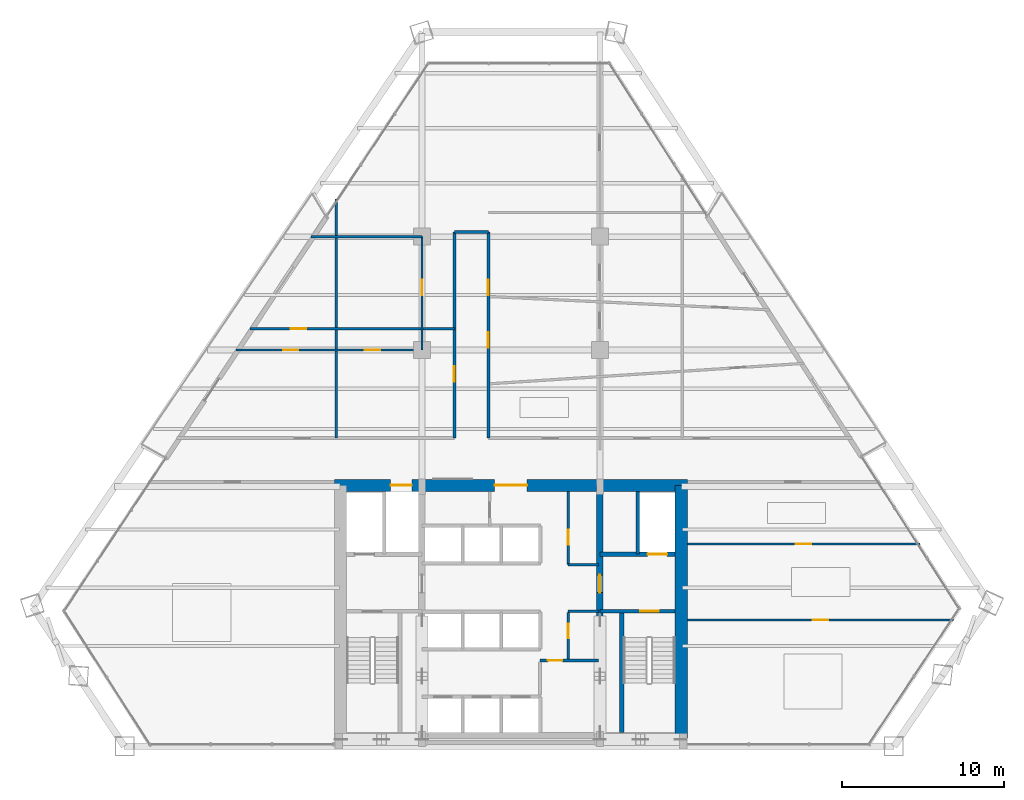
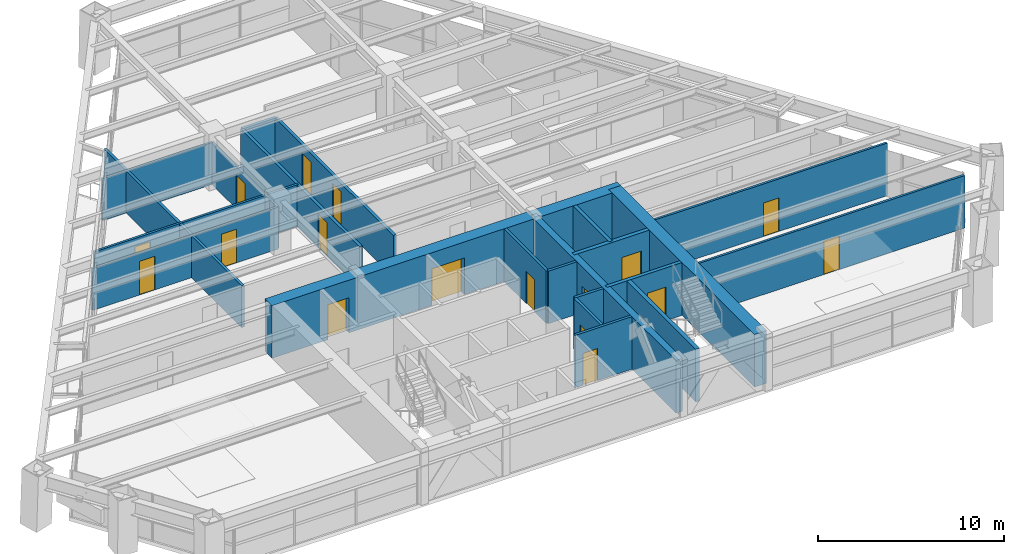
# One storey, part 11 of 14: 22 walls, 17 doors, 17 openings.
"""IFC4 building model written with IfcOpenShell, lengths in metres."""

from ifc_helpers import new_model, si_unit, direction, frame, frame_2d, origin, place, context, subcontext, project, spatial, rectangle, extrude, source, transform, mapped, material, layer, layer_set, type_object, type_shapes, element, fill, save


model = new_model("IFC4")

# Units and contexts
model_context = context("Model", 3, precision=1e-05, world=origin(), true_north=direction((0.0, 1.0)))
body_context = subcontext(model_context, "Body", "Model", "MODEL_VIEW")
ifc_project = project(units=[si_unit("LENGTHUNIT", "METRE"), si_unit("AREAUNIT", "SQUARE_METRE"), si_unit("VOLUMEUNIT", "CUBIC_METRE"), si_unit("PLANEANGLEUNIT", "RADIAN"), si_unit("MASSUNIT", "GRAM", prefix="KILO")], contexts=[model_context])

# Site, building, storey
site_placement = place(None, origin())
site = spatial("IfcSite", under=ifc_project, at=site_placement, CompositionType="ELEMENT")
building_placement = place(site_placement, origin())
building = spatial("IfcBuilding", under=site, at=building_placement, Name="Varnakhor Terracotta Tower", CompositionType="ELEMENT")
storey_placement = place(building_placement, frame((0.0, 0.0, 113.60009765625)))
storey = spatial("IfcBuildingStorey", under=building, at=storey_placement, Name="L28", CompositionType="ELEMENT", Elevation=113.60009765625)

# Wall, openings, doors
ifc_material_1 = material(Name="Concrete C60/75", Category="concrete")
ifc_layer_1 = layer(ifc_material_1, 0.75, Name="Concrete C60/75")
ifc_layer_set_1 = layer_set([ifc_layer_1], Name="Concrete C60/75")
wall_type_1 = type_object("IfcWallType", Name="WAL-CORE-750", PredefinedType="SHEAR", material=ifc_layer_set_1)
wall_1_placement = place(storey_placement, frame((-10.89990234375, 16.125, 0.0), z_axis=(0.0, 0.0, 1.0), x_axis=(1.0, 0.0, 0.0)))
wall_1 = element("IfcWall", 1, at=wall_1_placement, inside=storey, type_object=wall_type_1, Name="L28 North Core Shear Wall", PredefinedType="SHEAR", context=body_context, shape_type="SweptSolid", body=[
    extrude(rectangle(XDim=21.7998046875, YDim=0.75, at=frame_2d((10.89990234375, 0.0))), origin(), (0.0, 0.0, 1.0), 3.449951171875),
])
opening_1_placement = place(wall_1_placement, frame((3.469970703125, 0.0, 0.0)))
opening_1 = element("IfcOpeningElement", 2, at=opening_1_placement, cuts=wall_1, Name="Opening LD-03", PredefinedType="OPENING", context=body_context, shape_type="SweptSolid", body=[
    extrude(rectangle(XDim=1.300048828125, YDim=2.300048828125, at=frame_2d((0.64990234375, 1.14990234375))), frame((0.0, 0.385009765625, 0.0), z_axis=(0.0, -1.0, 0.0), x_axis=(1.0, 0.0, 0.0)), (0.0, 0.0, 1.0), 0.77001953125),
])
opening_2_placement = place(wall_1_placement, frame((9.89990234375, 0.0, 0.0)))
opening_2 = element("IfcOpeningElement", 3, at=opening_2_placement, cuts=wall_1, Name="Opening DR-32", PredefinedType="OPENING", context=body_context, shape_type="SweptSolid", body=[
    extrude(rectangle(XDim=2.0, YDim=2.39990234375, at=frame_2d((1.0, 1.199951171875))), frame((0.0, 0.385009765625, 0.0), z_axis=(0.0, -1.0, 0.0), x_axis=(1.0, 0.0, 0.0)), (0.0, 0.0, 1.0), 0.77001953125),
])
ifc_material_2 = material(Name="Heavy-Duty Goods Sliding Lift Landing Door", Category="steel")
door_type_1 = type_object("IfcDoorType", Name="LD-SRV-1300X2300", OperationType="NOTDEFINED", PredefinedType="DOOR", material=ifc_material_2)
shared_shape_1 = source(origin(), body_context, "Body", "SweptSolid", [
    extrude(rectangle(XDim=1.300048828125, YDim=2.300048828125, at=frame_2d((0.64990234375, 1.14990234375))), frame((0.0, 0.02490234375, 0.0), z_axis=(0.0, -1.0, 0.0), x_axis=(1.0, 0.0, 0.0)), (0.0, 0.0, 1.0), 0.050048828125),
])
type_shapes(door_type_1, [shared_shape_1])
door_1_placement = place(opening_1_placement, origin())
door_1 = element("IfcDoor", 4, at=door_1_placement, inside=storey, type_object=door_type_1, Name="L28 Service Lift SVL-1 Landing Door", OperationType="SLIDING_TO_RIGHT", OverallHeight=2.300048828125, OverallWidth=1.300048828125, PredefinedType="DOOR", context=body_context, shape_type="MappedRepresentation", body=[
    mapped(shared_shape_1, transform((0.0, 0.0, 0.0), scale=1.0)),
])
fill(opening_1, door_1)
ifc_material_3 = material(Name="Acoustic Double Assembly Fire Door", Category="wood")
door_type_2 = type_object("IfcDoorType", Name="DR-HALL-2000X2400", OperationType="NOTDEFINED", PredefinedType="DOOR", material=ifc_material_3)
shared_shape_2 = source(origin(), body_context, "Body", "SweptSolid", [
    extrude(rectangle(XDim=2.0, YDim=2.39990234375, at=frame_2d((1.0, 1.199951171875))), frame((0.0, 0.02490234375, 0.0), z_axis=(0.0, -1.0, 0.0), x_axis=(1.0, 0.0, 0.0)), (0.0, 0.0, 1.0), 0.050048828125),
])
type_shapes(door_type_2, [shared_shape_2])
door_2_placement = place(opening_2_placement, origin())
door_2 = element("IfcDoor", 5, at=door_2_placement, inside=storey, type_object=door_type_2, Name="L28 Core Main Lobby Double Door", OperationType="DOUBLE_DOOR_SINGLE_SWING", OverallHeight=2.39990234375, OverallWidth=2.0, PredefinedType="DOOR", context=body_context, shape_type="MappedRepresentation", body=[
    mapped(shared_shape_2, transform((0.0, 0.0, 0.0), scale=1.0)),
])
fill(opening_2, door_2)

# Wall
wall_2_placement = place(storey_placement, frame((10.52490234375, 0.47509765625, 0.0), z_axis=(0.0, 0.0, 1.0), x_axis=(0.0, 1.0, 0.0)))
element("IfcWall", 6, at=wall_2_placement, inside=storey, type_object=wall_type_1, Name="L28 East Core Shear Wall", PredefinedType="SHEAR", context=body_context, shape_type="SweptSolid", body=[
    extrude(rectangle(XDim=15.64990234375, YDim=0.75, at=frame_2d((7.824951171875, 0.0))), origin(), (0.0, 0.0, 1.0), 3.449951171875),
])

# Wall, opening, door
ifc_material_4 = material(Name="Concrete C50/60", Category="concrete")
ifc_layer_2 = layer(ifc_material_4, 0.39990234375, Name="Concrete C50/60")
ifc_layer_set_2 = layer_set([ifc_layer_2], Name="Concrete C50/60")
wall_type_2 = type_object("IfcWallType", Name="WAL-CORE-WEB-400", PredefinedType="SHEAR", material=ifc_layer_set_2)
wall_3_placement = place(storey_placement, frame((5.5, 0.47509765625, 0.0), z_axis=(0.0, 0.0, 1.0), x_axis=(0.0, 1.0, 0.0)))
wall_3 = element("IfcWall", 7, at=wall_3_placement, inside=storey, type_object=wall_type_2, Name="L28 East Core Web Shear Wall", PredefinedType="SHEAR", context=body_context, shape_type="SweptSolid", body=[
    extrude(rectangle(XDim=15.64990234375, YDim=0.39990234375, at=frame_2d((7.824951171875, 0.0))), origin(), (0.0, 0.0, 1.0), 3.449951171875),
])
opening_3_placement = place(wall_3_placement, frame((9.02490234375, 0.0, 0.0)))
opening_3 = element("IfcOpeningElement", 8, at=opening_3_placement, cuts=wall_3, Name="Opening DR-25", PredefinedType="OPENING", context=body_context, shape_type="SweptSolid", body=[
    extrude(rectangle(XDim=1.10009765625, YDim=2.199951171875, at=frame_2d((0.550048828125, 1.10009765625))), frame((0.0, 0.2099609375, 0.0), z_axis=(0.0, -1.0, 0.0), x_axis=(1.0, 0.0, 0.0)), (0.0, 0.0, 1.0), 0.419921875),
])
ifc_material_5 = material(Name="Firefighting Lobby Self-Closing Fire Door", Category="steel")
door_type_3 = type_object("IfcDoorType", Name="DR-FFL-1100X2200", OperationType="NOTDEFINED", PredefinedType="DOOR", material=ifc_material_5)
shared_shape_3 = source(origin(), body_context, "Body", "SweptSolid", [
    extrude(rectangle(XDim=1.10009765625, YDim=2.199951171875, at=frame_2d((0.550048828125, 1.10009765625))), frame((0.0, 0.02490234375, 0.0), z_axis=(0.0, -1.0, 0.0), x_axis=(1.0, 0.0, 0.0)), (0.0, 0.0, 1.0), 0.050048828125),
])
type_shapes(door_type_3, [shared_shape_3])
door_3_placement = place(opening_3_placement, origin())
door_3 = element("IfcDoor", 9, at=door_3_placement, inside=storey, type_object=door_type_3, Name="L28 East Firefighting Lobby Door", OperationType="SINGLE_SWING_RIGHT", OverallHeight=2.199951171875, OverallWidth=1.10009765625, PredefinedType="DOOR", context=body_context, shape_type="MappedRepresentation", body=[
    mapped(shared_shape_3, transform((0.0, 0.0, 0.0), scale=1.0)),
])
fill(opening_3, door_3)

ifc_material_6 = material(Name="Fire-Rated Gypsum Stud Partition", Category="gypsum")
ifc_layer_3 = layer(ifc_material_6, 0.18505859375, Name="Fire-Rated Gypsum Stud Partition")
ifc_layer_set_3 = layer_set([ifc_layer_3], Name="Fire-Rated Gypsum Stud Partition")
wall_type_3 = type_object("IfcWallType", Name="WAL-CORR-185", PredefinedType="PARTITIONING", material=ifc_layer_set_3)
wall_4_placement = place(storey_placement, frame((-3.5, 19.050048828125, 0.0), z_axis=(0.0, 0.0, 1.0), x_axis=(0.0, 1.0, 0.0)))
wall_4 = element("IfcWall", 10, at=wall_4_placement, inside=storey, type_object=wall_type_3, Name="L28 Spine West Wall", PredefinedType="PARTITIONING", context=body_context, shape_type="SweptSolid", body=[
    extrude(rectangle(XDim=12.75, YDim=0.18505859375, at=frame_2d((6.375, 0.0))), origin(), (0.0, 0.0, 1.0), 2.746826171875),
])
opening_4_placement = place(wall_4_placement, frame((3.486083984375, 0.0, 0.0)))
opening_4 = element("IfcOpeningElement", 11, at=opening_4_placement, cuts=wall_4, Name="Opening DR-94", PredefinedType="OPENING", context=body_context, shape_type="SweptSolid", body=[
    extrude(rectangle(XDim=0.949951171875, YDim=2.199951171875, at=frame_2d((0.47509765625, 1.10009765625))), frame((0.0, 0.1025390625, 0.0), z_axis=(0.0, -1.0, 0.0), x_axis=(1.0, 0.0, 0.0)), (0.0, 0.0, 1.0), 0.205078125),
])
ifc_material_7 = material(Name="Acoustic Glazed-Vision Timber Office Door", Category="wood")
door_type_4 = type_object("IfcDoorType", Name="DR-OFF-950X2200", OperationType="NOTDEFINED", PredefinedType="DOOR", material=ifc_material_7)
shared_shape_4 = source(origin(), body_context, "Body", "SweptSolid", [
    extrude(rectangle(XDim=0.949951171875, YDim=2.199951171875, at=frame_2d((0.47509765625, 1.10009765625))), frame((0.0, 0.02490234375, 0.0), z_axis=(0.0, -1.0, 0.0), x_axis=(1.0, 0.0, 0.0)), (0.0, 0.0, 1.0), 0.050048828125),
])
type_shapes(door_type_4, [shared_shape_4])
door_4_placement = place(opening_4_placement, origin())
door_4 = element("IfcDoor", 12, at=door_4_placement, inside=storey, type_object=door_type_4, Name="L28 Spine West Door", OperationType="SINGLE_SWING_LEFT", OverallHeight=2.199951171875, OverallWidth=0.949951171875, PredefinedType="DOOR", context=body_context, shape_type="MappedRepresentation", body=[
    mapped(shared_shape_4, transform((0.0, 0.0, 0.0), scale=1.0)),
])
fill(opening_4, door_4)

# Wall, openings, doors
wall_5_placement = place(storey_placement, frame((-1.39990234375, 19.050048828125, 0.0), z_axis=(0.0, 0.0, 1.0), x_axis=(0.0, 1.0, 0.0)))
wall_5 = element("IfcWall", 13, at=wall_5_placement, inside=storey, type_object=wall_type_3, Name="L28 Spine East Wall", PredefinedType="PARTITIONING", context=body_context, shape_type="SweptSolid", body=[
    extrude(rectangle(XDim=12.75, YDim=0.18505859375, at=frame_2d((6.375, 0.0))), origin(), (0.0, 0.0, 1.0), 2.746826171875),
])
opening_5_placement = place(wall_5_placement, frame((8.830078125, 0.0, 0.0)))
opening_5 = element("IfcOpeningElement", 14, at=opening_5_placement, cuts=wall_5, Name="Opening DR-94", PredefinedType="OPENING", context=body_context, shape_type="SweptSolid", body=[
    extrude(rectangle(XDim=0.949951171875, YDim=2.199951171875, at=frame_2d((0.47509765625, 1.10009765625))), frame((0.0, 0.1025390625, 0.0), z_axis=(0.0, -1.0, 0.0), x_axis=(1.0, 0.0, 0.0)), (0.0, 0.0, 1.0), 0.205078125),
])
opening_6_placement = place(wall_5_placement, frame((5.59326171875, 0.0, 0.0)))
opening_6 = element("IfcOpeningElement", 15, at=opening_6_placement, cuts=wall_5, Name="Opening DR-94", PredefinedType="OPENING", context=body_context, shape_type="SweptSolid", body=[
    extrude(rectangle(XDim=0.949951171875, YDim=2.199951171875, at=frame_2d((0.47509765625, 1.10009765625))), frame((0.0, 0.1025390625, 0.0), z_axis=(0.0, -1.0, 0.0), x_axis=(1.0, 0.0, 0.0)), (0.0, 0.0, 1.0), 0.205078125),
])
door_5_placement = place(opening_5_placement, origin())
door_5 = element("IfcDoor", 16, at=door_5_placement, inside=storey, type_object=door_type_4, Name="L28 Spine East Door", OperationType="SINGLE_SWING_RIGHT", OverallHeight=2.199951171875, OverallWidth=0.949951171875, PredefinedType="DOOR", context=body_context, shape_type="MappedRepresentation", body=[
    mapped(shared_shape_4, transform((0.0, 0.0, 0.0), scale=1.0)),
])
fill(opening_5, door_5)
door_6_placement = place(opening_6_placement, origin())
door_6 = element("IfcDoor", 17, at=door_6_placement, inside=storey, type_object=door_type_4, Name="L28 Director Office 3 B12 Door", OperationType="SINGLE_SWING_LEFT", OverallHeight=2.199951171875, OverallWidth=0.949951171875, PredefinedType="DOOR", context=body_context, shape_type="MappedRepresentation", body=[
    mapped(shared_shape_4, transform((0.0, 0.0, 0.0), scale=1.0)),
])
fill(opening_6, door_6)

# Wall
wall_6_placement = place(storey_placement, frame((-3.5, 31.800048828125, 0.0), z_axis=(0.0, 0.0, 1.0), x_axis=(1.0, 0.0, 0.0)))
element("IfcWall", 18, at=wall_6_placement, inside=storey, type_object=wall_type_3, Name="L28 Spine North End Wall", PredefinedType="PARTITIONING", context=body_context, shape_type="SweptSolid", body=[
    extrude(rectangle(XDim=2.10009765625, YDim=0.18505859375, at=frame_2d((1.050048828125, 0.0))), origin(), (0.0, 0.0, 1.0), 2.746826171875),
])

# Wall, opening, door
ifc_material_8 = material(Name="Concrete C40/50", Category="concrete")
ifc_layer_4 = layer(ifc_material_8, 0.219970703125, Name="Concrete C40/50")
ifc_layer_set_4 = layer_set([ifc_layer_4], Name="Concrete C40/50")
wall_type_4 = type_object("IfcWallType", Name="WAL-FFLOBBY-220", PredefinedType="SOLIDWALL", material=ifc_layer_set_4)
wall_7_placement = place(storey_placement, frame((10.14990234375, 8.35009765625, 0.0), z_axis=(0.0, 0.0, 1.0), x_axis=(-1.0, 0.0, 0.0)))
wall_7 = element("IfcWall", 19, at=wall_7_placement, inside=storey, type_object=wall_type_4, Name="L28 East Firefighting Lobby Stair Wall", PredefinedType="SOLIDWALL", context=body_context, shape_type="SweptSolid", body=[
    extrude(rectangle(XDim=4.64990234375, YDim=0.219970703125, at=frame_2d((2.324951171875, 0.0))), origin(), (0.0, 0.0, 1.0), 3.449951171875),
])
opening_7_placement = place(wall_7_placement, frame((1.0, 0.0, 0.0)))
opening_7 = element("IfcOpeningElement", 20, at=opening_7_placement, cuts=wall_7, Name="Opening DR-34", PredefinedType="OPENING", context=body_context, shape_type="SweptSolid", body=[
    extrude(rectangle(XDim=1.14990234375, YDim=2.199951171875, at=frame_2d((0.574951171875, 1.10009765625))), frame((0.0, 0.1201171875, 0.0), z_axis=(0.0, -1.0, 0.0), x_axis=(1.0, 0.0, 0.0)), (0.0, 0.0, 1.0), 0.239990234375),
])
ifc_material_9 = material(Name="Self-Closing Smoke-Sealed Steel Fire Door", Category="steel")
door_type_5 = type_object("IfcDoorType", Name="DR-STAIR-1150X2200", OperationType="NOTDEFINED", PredefinedType="DOOR", material=ifc_material_9)
shared_shape_5 = source(origin(), body_context, "Body", "SweptSolid", [
    extrude(rectangle(XDim=1.14990234375, YDim=2.199951171875, at=frame_2d((0.574951171875, 1.10009765625))), frame((0.0, 0.02490234375, 0.0), z_axis=(0.0, -1.0, 0.0), x_axis=(1.0, 0.0, 0.0)), (0.0, 0.0, 1.0), 0.050048828125),
])
type_shapes(door_type_5, [shared_shape_5])
door_7_placement = place(opening_7_placement, origin())
door_7 = element("IfcDoor", 21, at=door_7_placement, inside=storey, type_object=door_type_5, Name="L28 Exit Stair ST-2 Fire Door", OperationType="SINGLE_SWING_LEFT", OverallHeight=2.199951171875, OverallWidth=1.14990234375, PredefinedType="DOOR", context=body_context, shape_type="MappedRepresentation", body=[
    mapped(shared_shape_5, transform((0.0, 0.0, 0.0), scale=1.0)),
])
fill(opening_7, door_7)

# Wall, openings, doors
ifc_material_10 = material(Name="Acoustic Metal-Stud Partition", Category="gypsum")
ifc_layer_5 = layer(ifc_material_10, 0.139892578125, Name="Acoustic Metal-Stud Partition")
ifc_layer_set_5 = layer_set([ifc_layer_5], Name="Acoustic Metal-Stud Partition")
wall_type_5 = type_object("IfcWallType", Name="WAL-PART-140", PredefinedType="PARTITIONING", material=ifc_layer_set_5)
wall_8_placement = place(storey_placement, frame((-17.007568359375, 24.5, 0.0), z_axis=(0.0, 0.0, 1.0), x_axis=(1.0, 0.0, 0.0)))
wall_8 = element("IfcWall", 22, at=wall_8_placement, inside=storey, type_object=wall_type_5, Name="L28 West Y24.5 Column Wall", PredefinedType="PARTITIONING", context=body_context, shape_type="SweptSolid", body=[
    extrude(rectangle(XDim=11.507568359375, YDim=0.139892578125, at=frame_2d((5.75390625, 0.0))), origin(), (0.0, 0.0, 1.0), 2.746826171875),
])
opening_8_placement = place(wall_8_placement, frame((2.920166015625, 0.0, 0.0)))
opening_8 = element("IfcOpeningElement", 23, at=opening_8_placement, cuts=wall_8, Name="Opening DR-94", PredefinedType="OPENING", context=body_context, shape_type="SweptSolid", body=[
    extrude(rectangle(XDim=0.949951171875, YDim=2.199951171875, at=frame_2d((0.47509765625, 1.10009765625))), frame((0.0, 0.080078125, 0.0), z_axis=(0.0, -1.0, 0.0), x_axis=(1.0, 0.0, 0.0)), (0.0, 0.0, 1.0), 0.159912109375),
])
opening_9_placement = place(wall_8_placement, frame((7.977294921875, 0.0, 0.0)))
opening_9 = element("IfcOpeningElement", 24, at=opening_9_placement, cuts=wall_8, Name="Opening DR-94", PredefinedType="OPENING", context=body_context, shape_type="SweptSolid", body=[
    extrude(rectangle(XDim=0.949951171875, YDim=2.199951171875, at=frame_2d((0.47509765625, 1.10009765625))), frame((0.0, 0.080078125, 0.0), z_axis=(0.0, -1.0, 0.0), x_axis=(1.0, 0.0, 0.0)), (0.0, 0.0, 1.0), 0.159912109375),
])
door_8_placement = place(opening_8_placement, origin())
door_8 = element("IfcDoor", 25, at=door_8_placement, inside=storey, type_object=door_type_4, Name="L28 Director Office 2 Door", OperationType="SINGLE_SWING_RIGHT", OverallHeight=2.199951171875, OverallWidth=0.949951171875, PredefinedType="DOOR", context=body_context, shape_type="MappedRepresentation", body=[
    mapped(shared_shape_4, transform((0.0, 0.0, 0.0), scale=1.0)),
])
fill(opening_8, door_8)
door_9_placement = place(opening_9_placement, origin())
door_9 = element("IfcDoor", 26, at=door_9_placement, inside=storey, type_object=door_type_4, Name="L28 Executive Dining Salon B14 Door", OperationType="SINGLE_SWING_LEFT", OverallHeight=2.199951171875, OverallWidth=0.949951171875, PredefinedType="DOOR", context=body_context, shape_type="MappedRepresentation", body=[
    mapped(shared_shape_4, transform((0.0, 0.0, 0.0), scale=1.0)),
])
fill(opening_9, door_9)

# Wall, opening, door
wall_9_placement = place(storey_placement, frame((-5.5, 24.5, 0.0), z_axis=(0.0, 0.0, 1.0), x_axis=(0.0, 1.0, 0.0)))
wall_9 = element("IfcWall", 27, at=wall_9_placement, inside=storey, type_object=wall_type_5, Name="L28 West Mid Link Wall", PredefinedType="PARTITIONING", context=body_context, shape_type="SweptSolid", body=[
    extrude(rectangle(XDim=7.0, YDim=0.139892578125, at=frame_2d((3.5, 0.0))), origin(), (0.0, 0.0, 1.0), 2.746826171875),
])
opening_10_placement = place(wall_9_placement, frame((3.393310546875, 0.0, 0.0)))
opening_10 = element("IfcOpeningElement", 28, at=opening_10_placement, cuts=wall_9, Name="Opening DR-94", PredefinedType="OPENING", context=body_context, shape_type="SweptSolid", body=[
    extrude(rectangle(XDim=0.949951171875, YDim=2.199951171875, at=frame_2d((0.47509765625, 1.10009765625))), frame((0.0, 0.080078125, 0.0), z_axis=(0.0, -1.0, 0.0), x_axis=(1.0, 0.0, 0.0)), (0.0, 0.0, 1.0), 0.159912109375),
])
door_10_placement = place(opening_10_placement, origin())
door_10 = element("IfcDoor", 29, at=door_10_placement, inside=storey, type_object=door_type_4, Name="L28 Innovation Workshop Door", OperationType="SINGLE_SWING_RIGHT", OverallHeight=2.199951171875, OverallWidth=0.949951171875, PredefinedType="DOOR", context=body_context, shape_type="MappedRepresentation", body=[
    mapped(shared_shape_4, transform((0.0, 0.0, 0.0), scale=1.0)),
])
fill(opening_10, door_10)

# Wall
wall_10_placement = place(storey_placement, frame((-12.351318359375, 31.5, 0.0), z_axis=(0.0, 0.0, 1.0), x_axis=(1.0, 0.0, 0.0)))
element("IfcWall", 30, at=wall_10_placement, inside=storey, type_object=wall_type_5, Name="L28 West Y31.5 Column Wall", PredefinedType="PARTITIONING", context=body_context, shape_type="SweptSolid", body=[
    extrude(rectangle(XDim=6.851318359375, YDim=0.139892578125, at=frame_2d((3.42578125, 0.0))), origin(), (0.0, 0.0, 1.0), 2.746826171875),
])

# Wall, opening, door
wall_11_placement = place(storey_placement, frame((-16.142578125, 25.800048828125, 0.0), z_axis=(0.0, 0.0, 1.0), x_axis=(1.0, 0.0, 0.0)))
wall_11 = element("IfcWall", 31, at=wall_11_placement, inside=storey, type_object=wall_type_5, Name="L28 West Wing Cut 1", PredefinedType="PARTITIONING", context=body_context, shape_type="SweptSolid", body=[
    extrude(rectangle(XDim=12.642578125, YDim=0.139892578125, at=frame_2d((6.3212890625, 0.0))), origin(), (0.0, 0.0, 1.0), 2.746826171875),
])
opening_11_placement = place(wall_11_placement, frame((2.528076171875, 0.0, 0.0)))
opening_11 = element("IfcOpeningElement", 32, at=opening_11_placement, cuts=wall_11, Name="Opening DR-94", PredefinedType="OPENING", context=body_context, shape_type="SweptSolid", body=[
    extrude(rectangle(XDim=0.949951171875, YDim=2.199951171875, at=frame_2d((0.47509765625, 1.10009765625))), frame((0.0, 0.080078125, 0.0), z_axis=(0.0, -1.0, 0.0), x_axis=(1.0, 0.0, 0.0)), (0.0, 0.0, 1.0), 0.159912109375),
])
door_11_placement = place(opening_11_placement, origin())
door_11 = element("IfcDoor", 33, at=door_11_placement, inside=storey, type_object=door_type_4, Name="L28 Regional HQ Workplace B16 Door", OperationType="SINGLE_SWING_LEFT", OverallHeight=2.199951171875, OverallWidth=0.949951171875, PredefinedType="DOOR", context=body_context, shape_type="MappedRepresentation", body=[
    mapped(shared_shape_4, transform((0.0, 0.0, 0.0), scale=1.0)),
])
fill(opening_11, door_11)

wall_12_placement = place(storey_placement, frame((10.919921875, 7.800048828125, 0.0), z_axis=(0.0, 0.0, 1.0), x_axis=(1.0, 0.0, 0.0)))
wall_12 = element("IfcWall", 34, at=wall_12_placement, inside=storey, type_object=wall_type_5, Name="L28 South East Cut 1", PredefinedType="PARTITIONING", context=body_context, shape_type="SweptSolid", body=[
    extrude(rectangle(XDim=16.441162109375, YDim=0.139892578125, at=frame_2d((8.220703125, 0.0))), origin(), (0.0, 0.0, 1.0), 3.44189453125),
])
opening_12_placement = place(wall_12_placement, frame((7.734619140625, 0.0, 0.0)))
opening_12 = element("IfcOpeningElement", 35, at=opening_12_placement, cuts=wall_12, Name="Opening DR-94", PredefinedType="OPENING", context=body_context, shape_type="SweptSolid", body=[
    extrude(rectangle(XDim=0.949951171875, YDim=2.199951171875, at=frame_2d((0.47509765625, 1.10009765625))), frame((0.0, 0.080078125, 0.0), z_axis=(0.0, -1.0, 0.0), x_axis=(1.0, 0.0, 0.0)), (0.0, 0.0, 1.0), 0.159912109375),
])
door_12_placement = place(opening_12_placement, origin())
door_12 = element("IfcDoor", 36, at=door_12_placement, inside=storey, type_object=door_type_4, Name="L28 South East Conference Room Door", OperationType="SINGLE_SWING_LEFT", OverallHeight=2.199951171875, OverallWidth=0.949951171875, PredefinedType="DOOR", context=body_context, shape_type="MappedRepresentation", body=[
    mapped(shared_shape_4, transform((0.0, 0.0, 0.0), scale=1.0)),
])
fill(opening_12, door_12)

wall_13_placement = place(storey_placement, frame((10.919921875, 12.5, 0.0), z_axis=(0.0, 0.0, 1.0), x_axis=(1.0, 0.0, 0.0)))
wall_13 = element("IfcWall", 37, at=wall_13_placement, inside=storey, type_object=wall_type_5, Name="L28 South East Cut 2", PredefinedType="PARTITIONING", context=body_context, shape_type="SweptSolid", body=[
    extrude(rectangle(XDim=14.362060546875, YDim=0.139892578125, at=frame_2d((7.18115234375, 0.0))), origin(), (0.0, 0.0, 1.0), 3.44189453125),
])
opening_13_placement = place(wall_13_placement, frame((6.697509765625, 0.0, 0.0)))
opening_13 = element("IfcOpeningElement", 38, at=opening_13_placement, cuts=wall_13, Name="Opening DR-94", PredefinedType="OPENING", context=body_context, shape_type="SweptSolid", body=[
    extrude(rectangle(XDim=0.949951171875, YDim=2.199951171875, at=frame_2d((0.47509765625, 1.10009765625))), frame((0.0, 0.080078125, 0.0), z_axis=(0.0, -1.0, 0.0), x_axis=(1.0, 0.0, 0.0)), (0.0, 0.0, 1.0), 0.159912109375),
])
door_13_placement = place(opening_13_placement, origin())
door_13 = element("IfcDoor", 39, at=door_13_placement, inside=storey, type_object=door_type_4, Name="L28 Director Office 2 B3 Door", OperationType="SINGLE_SWING_LEFT", OverallHeight=2.199951171875, OverallWidth=0.949951171875, PredefinedType="DOOR", context=body_context, shape_type="MappedRepresentation", body=[
    mapped(shared_shape_4, transform((0.0, 0.0, 0.0), scale=1.0)),
])
fill(opening_13, door_13)

# Walls
ifc_layer_6 = layer(ifc_material_8, 0.219970703125, Name="Concrete C40/50")
ifc_layer_set_6 = layer_set([ifc_layer_6], Name="Concrete C40/50")
wall_type_6 = type_object("IfcWallType", Name="WAL-SHAFT-220", PredefinedType="SOLIDWALL", material=ifc_layer_set_6)
wall_14_placement = place(storey_placement, frame((7.840087890625, 11.8701171875, 0.0), z_axis=(0.0, 0.0, 1.0), x_axis=(0.0, 1.0, 0.0)))
element("IfcWall", 40, at=wall_14_placement, inside=storey, type_object=wall_type_6, Name="L28 Lift FFL-2 and Riser Divider Wall", PredefinedType="SOLIDWALL", context=body_context, shape_type="SweptSolid", body=[
    extrude(rectangle(XDim=3.8798828125, YDim=0.219970703125, at=frame_2d((1.93994140625, 0.0))), origin(), (0.0, 0.0, 1.0), 3.449951171875),
])
ifc_layer_7 = layer(ifc_material_8, 0.25, Name="Concrete C40/50")
ifc_layer_set_7 = layer_set([ifc_layer_7], Name="Concrete C40/50")
wall_type_7 = type_object("IfcWallType", Name="WAL-SHAFT-250", PredefinedType="SOLIDWALL", material=ifc_layer_set_7)
wall_15_placement = place(storey_placement, frame((6.85009765625, 0.85009765625, 0.0), z_axis=(0.0, 0.0, 1.0), x_axis=(0.0, 1.0, 0.0)))
element("IfcWall", 41, at=wall_15_placement, inside=storey, type_object=wall_type_7, Name="L28 Stair ST-2 Bearing Shaft Wall", PredefinedType="SOLIDWALL", context=body_context, shape_type="SweptSolid", body=[
    extrude(rectangle(XDim=7.5, YDim=0.25, at=frame_2d((3.75, 0.0))), origin(), (0.0, 0.0, 1.0), 3.449951171875),
])

# Wall, opening, door
wall_16_placement = place(storey_placement, frame((10.14990234375, 11.8701171875, 0.0), z_axis=(0.0, 0.0, 1.0), x_axis=(-1.0, 0.0, 0.0)))
wall_16 = element("IfcWall", 42, at=wall_16_placement, inside=storey, type_object=wall_type_7, Name="L28 Lift FFL-2 Shaft Front Wall", PredefinedType="SOLIDWALL", context=body_context, shape_type="SweptSolid", body=[
    extrude(rectangle(XDim=4.64990234375, YDim=0.25, at=frame_2d((2.324951171875, 0.0))), origin(), (0.0, 0.0, 1.0), 3.449951171875),
])
opening_14_placement = place(wall_16_placement, frame((0.5, 0.0, 0.0)))
opening_14 = element("IfcOpeningElement", 43, at=opening_14_placement, cuts=wall_16, Name="Opening LD-02", PredefinedType="OPENING", context=body_context, shape_type="SweptSolid", body=[
    extrude(rectangle(XDim=1.199951171875, YDim=2.25, at=frame_2d((0.60009765625, 1.125))), frame((0.0, 0.135009765625, 0.0), z_axis=(0.0, -1.0, 0.0), x_axis=(1.0, 0.0, 0.0)), (0.0, 0.0, 1.0), 0.27001953125),
])
ifc_material_11 = material(Name="Firefighting Stretcher Sliding Lift Landing Door", Category="steel")
door_type_6 = type_object("IfcDoorType", Name="LD-FFL-1200X2250", OperationType="NOTDEFINED", PredefinedType="DOOR", material=ifc_material_11)
shared_shape_6 = source(origin(), body_context, "Body", "SweptSolid", [
    extrude(rectangle(XDim=1.199951171875, YDim=2.25, at=frame_2d((0.60009765625, 1.125))), frame((0.0, 0.02490234375, 0.0), z_axis=(0.0, -1.0, 0.0), x_axis=(1.0, 0.0, 0.0)), (0.0, 0.0, 1.0), 0.050048828125),
])
type_shapes(door_type_6, [shared_shape_6])
door_14_placement = place(opening_14_placement, origin())
door_14 = element("IfcDoor", 44, at=door_14_placement, inside=storey, type_object=door_type_6, Name="L28 Firefighting Lift FFL-2 Landing Door", OperationType="SLIDING_TO_RIGHT", OverallHeight=2.25, OverallWidth=1.199951171875, PredefinedType="DOOR", context=body_context, shape_type="MappedRepresentation", body=[
    mapped(shared_shape_6, transform((0.0, 0.0, 0.0), scale=1.0)),
])
fill(opening_14, door_14)

ifc_material_12 = material(Name="Acoustic Fire-Rated Partition", Category="gypsum")
ifc_layer_8 = layer(ifc_material_12, 0.1650390625, Name="Acoustic Fire-Rated Partition")
ifc_layer_set_8 = layer_set([ifc_layer_8], Name="Acoustic Fire-Rated Partition")
wall_type_8 = type_object("IfcWallType", Name="WAL-TENANCY-165", PredefinedType="PARTITIONING", material=ifc_layer_set_8)
wall_17_placement = place(storey_placement, frame((3.5400390625, 5.382568359375, 0.0), z_axis=(0.0, 0.0, 1.0), x_axis=(0.0, 1.0, 0.0)))
wall_17 = element("IfcWall", 45, at=wall_17_placement, inside=storey, type_object=wall_type_8, Name="L28 Core Service Rated Wall", PredefinedType="PARTITIONING", context=body_context, shape_type="SweptSolid", body=[
    extrude(rectangle(XDim=2.875, YDim=0.1650390625, at=frame_2d((1.4375, 0.0))), origin(), (0.0, 0.0, 1.0), 3.44189453125),
])
opening_15_placement = place(wall_17_placement, frame((1.293701171875, 0.0, 0.0)))
opening_15 = element("IfcOpeningElement", 46, at=opening_15_placement, cuts=wall_17, Name="Opening DR-67", PredefinedType="OPENING", context=body_context, shape_type="SweptSolid", body=[
    extrude(rectangle(XDim=0.89990234375, YDim=2.10009765625, at=frame_2d((0.449951171875, 1.050048828125))), frame((0.0, 0.092529296875, 0.0), z_axis=(0.0, -1.0, 0.0), x_axis=(1.0, 0.0, 0.0)), (0.0, 0.0, 1.0), 0.18505859375),
])
ifc_material_13 = material(Name="Steel Service Riser Fire Door", Category="steel")
door_type_7 = type_object("IfcDoorType", Name="DR-RISER-900X2100", OperationType="NOTDEFINED", PredefinedType="DOOR", material=ifc_material_13)
shared_shape_7 = source(origin(), body_context, "Body", "SweptSolid", [
    extrude(rectangle(XDim=0.89990234375, YDim=2.10009765625, at=frame_2d((0.449951171875, 1.050048828125))), frame((0.0, 0.02490234375, 0.0), z_axis=(0.0, -1.0, 0.0), x_axis=(1.0, 0.0, 0.0)), (0.0, 0.0, 1.0), 0.050048828125),
])
type_shapes(door_type_7, [shared_shape_7])
door_15_placement = place(opening_15_placement, origin())
door_15 = element("IfcDoor", 47, at=door_15_placement, inside=storey, type_object=door_type_7, Name="L28 Core Accessible WC Door", OperationType="SINGLE_SWING_RIGHT", OverallHeight=2.10009765625, OverallWidth=0.89990234375, PredefinedType="DOOR", context=body_context, shape_type="MappedRepresentation", body=[
    mapped(shared_shape_7, transform((0.0, 0.0, 0.0), scale=1.0)),
])
fill(opening_15, door_15)

# Wall
wall_18_placement = place(storey_placement, frame((3.5400390625, 8.340087890625, 0.0), z_axis=(0.0, 0.0, 1.0), x_axis=(1.0, 0.0, 0.0)))
element("IfcWall", 48, at=wall_18_placement, inside=storey, type_object=wall_type_8, Name="L28 Accessible WC North Wall", PredefinedType="PARTITIONING", context=body_context, shape_type="SweptSolid", body=[
    extrude(rectangle(XDim=1.8798828125, YDim=0.1650390625, at=frame_2d((0.93994140625, 0.0))), origin(), (0.0, 0.0, 1.0), 3.44189453125),
])

# Wall, opening, door
wall_19_placement = place(storey_placement, frame((1.800048828125, 5.300048828125, 0.0), z_axis=(0.0, 0.0, 1.0), x_axis=(1.0, 0.0, 0.0)))
wall_19 = element("IfcWall", 49, at=wall_19_placement, inside=storey, type_object=wall_type_8, Name="L28 Core South Service Rated Wall", PredefinedType="PARTITIONING", context=body_context, shape_type="SweptSolid", body=[
    extrude(rectangle(XDim=3.619873046875, YDim=0.1650390625, at=frame_2d((1.81005859375, 0.0))), origin(), (0.0, 0.0, 1.0), 3.44189453125),
])
opening_16_placement = place(wall_19_placement, frame((0.47998046875, 0.0, 0.0)))
opening_16 = element("IfcOpeningElement", 50, at=opening_16_placement, cuts=wall_19, Name="Opening DR-67", PredefinedType="OPENING", context=body_context, shape_type="SweptSolid", body=[
    extrude(rectangle(XDim=0.89990234375, YDim=2.10009765625, at=frame_2d((0.449951171875, 1.050048828125))), frame((0.0, 0.092529296875, 0.0), z_axis=(0.0, -1.0, 0.0), x_axis=(1.0, 0.0, 0.0)), (0.0, 0.0, 1.0), 0.18505859375),
])
door_16_placement = place(opening_16_placement, origin())
door_16 = element("IfcDoor", 51, at=door_16_placement, inside=storey, type_object=door_type_7, Name="L28 Core IT Room Door", OperationType="SINGLE_SWING_LEFT", OverallHeight=2.10009765625, OverallWidth=0.89990234375, PredefinedType="DOOR", context=body_context, shape_type="MappedRepresentation", body=[
    mapped(shared_shape_7, transform((0.0, 0.0, 0.0), scale=1.0)),
])
fill(opening_16, door_16)

wall_20_placement = place(storey_placement, frame((3.5400390625, 11.219970703125, 0.0), z_axis=(0.0, 0.0, 1.0), x_axis=(0.0, 1.0, 0.0)))
wall_20 = element("IfcWall", 52, at=wall_20_placement, inside=storey, type_object=wall_type_8, Name="L28 Restroom Corridor Wall", PredefinedType="PARTITIONING", context=body_context, shape_type="SweptSolid", body=[
    extrude(rectangle(XDim=4.530029296875, YDim=0.1650390625, at=frame_2d((2.26513671875, 0.0))), origin(), (0.0, 0.0, 1.0), 3.44189453125),
])
opening_17_placement = place(wall_20_placement, frame((1.25, 0.0, 0.0)))
opening_17 = element("IfcOpeningElement", 53, at=opening_17_placement, cuts=wall_20, Name="Opening DR-67", PredefinedType="OPENING", context=body_context, shape_type="SweptSolid", body=[
    extrude(rectangle(XDim=0.89990234375, YDim=2.10009765625, at=frame_2d((0.449951171875, 1.050048828125))), frame((0.0, 0.092529296875, 0.0), z_axis=(0.0, -1.0, 0.0), x_axis=(1.0, 0.0, 0.0)), (0.0, 0.0, 1.0), 0.18505859375),
])
door_17_placement = place(opening_17_placement, origin())
door_17 = element("IfcDoor", 54, at=door_17_placement, inside=storey, type_object=door_type_7, Name="L28 Female WC Door", OperationType="SINGLE_SWING_RIGHT", OverallHeight=2.10009765625, OverallWidth=0.89990234375, PredefinedType="DOOR", context=body_context, shape_type="MappedRepresentation", body=[
    mapped(shared_shape_7, transform((0.0, 0.0, 0.0), scale=1.0)),
])
fill(opening_17, door_17)

# Walls
wall_21_placement = place(storey_placement, frame((3.5400390625, 11.219970703125, 0.0), z_axis=(0.0, 0.0, 1.0), x_axis=(1.0, 0.0, 0.0)))
element("IfcWall", 55, at=wall_21_placement, inside=storey, type_object=wall_type_8, Name="L28 Restroom South Wall", PredefinedType="PARTITIONING", context=body_context, shape_type="SweptSolid", body=[
    extrude(rectangle(XDim=1.8798828125, YDim=0.1650390625, at=frame_2d((0.93994140625, 0.0))), origin(), (0.0, 0.0, 1.0), 3.44189453125),
])
wall_22_placement = place(storey_placement, frame((-10.800048828125, 19.050048828125, 0.0), z_axis=(0.0, 0.0, 1.0), x_axis=(0.0, 1.0, 0.0)))
element("IfcWall", 56, at=wall_22_placement, inside=storey, type_object=wall_type_8, Name="L28 West Cellular Line", PredefinedType="PARTITIONING", context=body_context, shape_type="SweptSolid", body=[
    extrude(rectangle(XDim=14.781982421875, YDim=0.1650390625, at=frame_2d((7.39111328125, 0.0))), origin(), (0.0, 0.0, 1.0), 2.746826171875),
])

save(model, "model.ifc")
